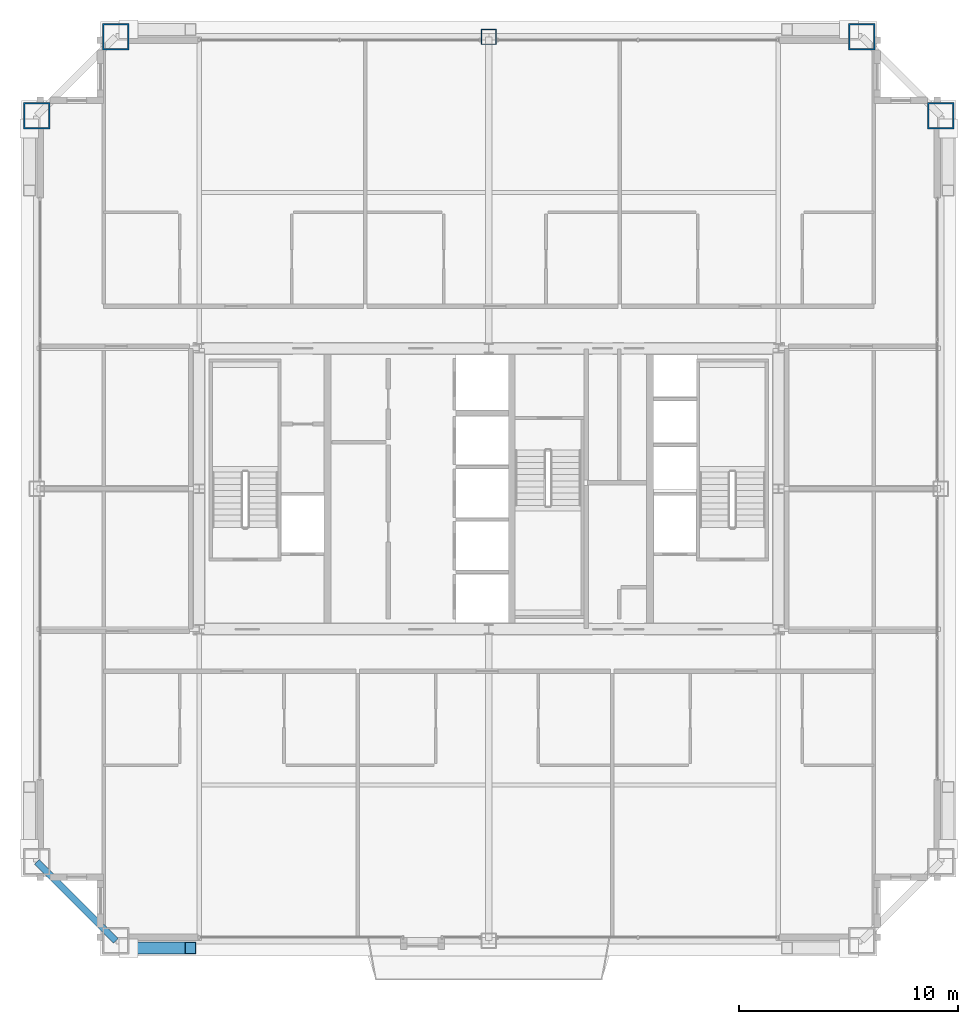
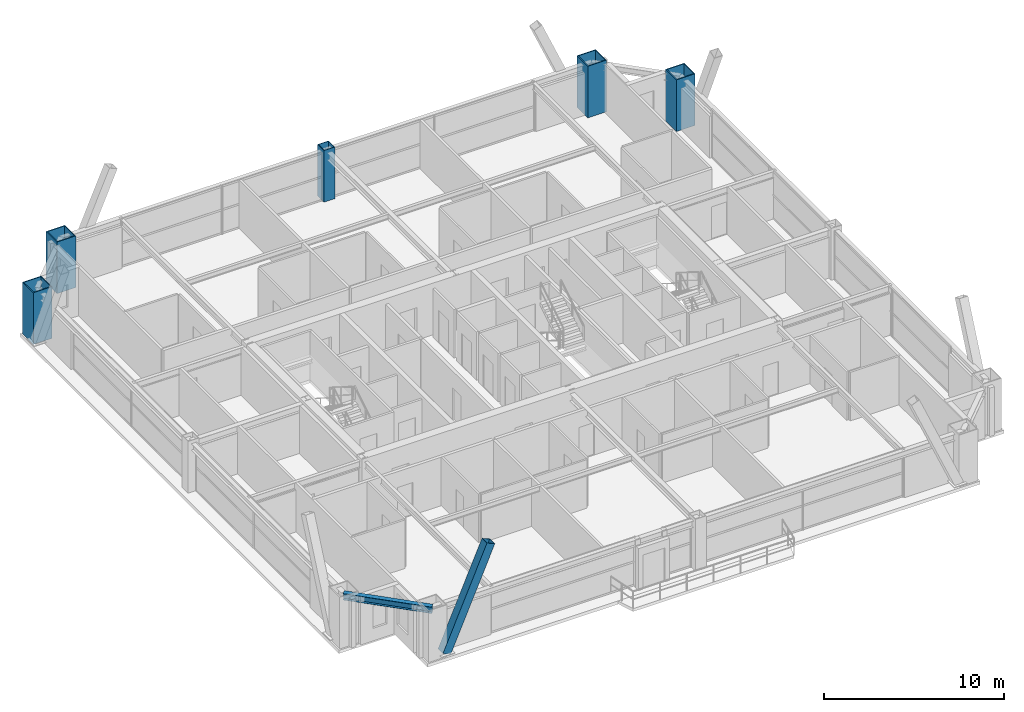
# One storey, part 2 of 34: 5 columns, 1 beam, 1 member.
"""IFC4 building model written with IfcOpenShell, lengths in metres."""

from ifc_helpers import new_model, si_unit, direction, frame, origin, origin_2d, place, context, subcontext, project, spatial, hollow_rectangle, i_section, extrude, source, transform, mapped, material, material_profile, profile_set, type_object, element, save


model = new_model("IFC4")

# Units and contexts
model_context = context("Model", 3, precision=1e-05, world=origin(), true_north=direction((0.0, 1.0)))
body_context = subcontext(model_context, "Body", "Model", "MODEL_VIEW")
ifc_project = project(units=[si_unit("LENGTHUNIT", "METRE"), si_unit("AREAUNIT", "SQUARE_METRE"), si_unit("VOLUMEUNIT", "CUBIC_METRE"), si_unit("PLANEANGLEUNIT", "RADIAN"), si_unit("MASSUNIT", "GRAM", prefix="KILO"), si_unit("THERMODYNAMICTEMPERATUREUNIT", "KELVIN"), si_unit("POWERUNIT", "WATT")], contexts=[model_context])

# Site, building, storey
site_placement = place(None, origin())
site = spatial("IfcSite", under=ifc_project, at=site_placement, CompositionType="ELEMENT")
building_placement = place(site_placement, origin())
building = spatial("IfcBuilding", under=site, at=building_placement, Name="Yuzanri Waterfront Tower", CompositionType="ELEMENT")
storey_placement = place(building_placement, frame((0.0, 0.0, 241.60009765625)))
storey = spatial("IfcBuildingStorey", under=building, at=storey_placement, Name="L64", CompositionType="ELEMENT", Elevation=241.60009765625)

# Columns
ifc_material_1 = material(Name="Steel Q390GJC", Category="steel")
ifc_material_profile_1 = material_profile(ifc_material_1, hollow_rectangle(XDim=1.199951171875, YDim=1.199951171875, WallThickness=0.054931640625, at=origin_2d()), Name="RHS 1200x1200x55")
ifc_profile_set_1 = profile_set([ifc_material_profile_1], Name="Steel Q390GJC")
column_type_1 = type_object("IfcColumnType", Name="Mega Column Q390GJC RHS 1200x1200x55", PredefinedType="COLUMN", material=ifc_profile_set_1)
shared_shape_1 = source(origin(), body_context, "Body", "SweptSolid", [
    extrude(hollow_rectangle(XDim=1.199951171875, YDim=1.199951171875, WallThickness=0.054931640625, at=origin_2d()), origin(), (0.0, 0.0, 1.0), 3.5),
])
for number, where, z_axis, x_axis, name in (
    (1, (20.0, 46.39990234375, 0.0), (0.0, 0.0, 1.0), (1.0, 0.0, 0.0), "L64 Perimeter Mega Column N1"),
    (2, (54.0, 46.39990234375, 0.0), (0.0, 0.0, 1.0), (1.0, 0.0, 0.0), "L64 Perimeter Mega Column N3"),
    (3, (16.39990234375, 42.800048828125, 0.0), (0.0, 0.0, 1.0), (1.0, 0.0, 0.0), "L64 Perimeter Mega Column W3"),
    (4, (57.60009765625, 42.800048828125, 0.0), (0.0, 0.0, 1.0), (1.0, 0.0, 0.0), "L64 Perimeter Mega Column E3"),
):
    element("IfcColumn", number, at=place(storey_placement, frame(where, z_axis=z_axis, x_axis=x_axis)), inside=storey, type_object=column_type_1, Name=name, PredefinedType="COLUMN", context=body_context, shape_type="MappedRepresentation", body=[
        mapped(shared_shape_1, transform((0.0, 0.0, 0.0), scale=1.0)),
    ])
ifc_material_2 = material(Name="Steel Q355B", Category="steel")
ifc_material_profile_2 = material_profile(ifc_material_2, hollow_rectangle(XDim=0.699951171875, YDim=0.699951171875, WallThickness=0.031982421875, at=origin_2d()), Name="RHS 700x700x32")
ifc_profile_set_2 = profile_set([ifc_material_profile_2], Name="Steel Q355B")
column_type_2 = type_object("IfcColumnType", Name="Frame Column Q355B RHS 700x700x32", PredefinedType="COLUMN", material=ifc_profile_set_2)
shared_shape_2 = source(origin(), body_context, "Body", "SweptSolid", [
    extrude(hollow_rectangle(XDim=0.699951171875, YDim=0.699951171875, WallThickness=0.031982421875, at=origin_2d()), origin(), (0.0, 0.0, 1.0), 3.5),
])
column_placement = place(storey_placement, frame((37.0, 46.39990234375, 0.0), z_axis=(0.0, 0.0, 1.0), x_axis=(1.0, 0.0, 0.0)))
element("IfcColumn", 5, at=column_placement, inside=storey, type_object=column_type_2, Name="L64 Perimeter Frame Column N2", PredefinedType="COLUMN", context=body_context, shape_type="MappedRepresentation", body=[
    mapped(shared_shape_2, transform((0.0, 0.0, 0.0), scale=1.0)),
])

# Beam
ifc_material_3 = material(Name="Steel Q355B", Category="steel")
ifc_material_profile_3 = material_profile(ifc_material_3, i_section(OverallWidth=0.300048828125, OverallDepth=0.43994140625, WebThickness=0.010986328125, FlangeThickness=0.01806640625, at=origin_2d()), Name="HM 440x300x11x18")
ifc_profile_set_3 = profile_set([ifc_material_profile_3], Name="Steel Q355B")
beam_type = type_object("IfcBeamType", Name="Perimeter Spandrel Q355B HM 440x300", PredefinedType="SPANDREL", material=ifc_profile_set_3)
shared_shape_3 = source(origin(), body_context, "Body", "SweptSolid", [
    extrude(i_section(OverallWidth=0.300048828125, OverallDepth=0.43994140625, WebThickness=0.010986328125, FlangeThickness=0.01806640625, at=origin_2d()), origin(), (0.0, 0.0, 1.0), 5.09130859375),
])
beam_placement = place(storey_placement, frame((16.39990234375, 8.800048828125, 3.059814453125), z_axis=(0.707106781187, -0.707106781187, 0.0), x_axis=(0.707106781187, 0.707106781187, 0.0)))
element("IfcBeam", 6, at=beam_placement, inside=storey, type_object=beam_type, Name="L64 Perimeter Spandrel W1-S1", PredefinedType="SPANDREL", context=body_context, shape_type="MappedRepresentation", body=[
    mapped(shared_shape_3, transform((0.0, 0.0, 0.0), scale=1.0)),
])

# Member
ifc_material_4 = material(Name="Steel Q390GJC", Category="steel")
ifc_material_profile_4 = material_profile(ifc_material_4, hollow_rectangle(XDim=0.550048828125, YDim=0.550048828125, WallThickness=0.02490234375, at=origin_2d()), Name="RHS 550x550x25")
ifc_profile_set_4 = profile_set([ifc_material_profile_4], Name="Steel Q390GJC")
member_type = type_object("IfcMemberType", Name="Mega Brace Mid Q390GJC RHS 550x550x25", PredefinedType="BRACE", material=ifc_profile_set_4)
shared_shape_4 = source(origin(), body_context, "Body", "SweptSolid", [
    extrude(hollow_rectangle(XDim=0.550048828125, YDim=0.550048828125, WallThickness=0.02490234375, at=origin_2d()), origin(), (0.0, 0.0, 1.0), 7.085205078125),
])
member_placement = place(storey_placement, frame((20.580078125, 4.860107421875, 0.179931640625), z_axis=(0.397982599681, 0.0, 0.917392963975), x_axis=(0.0, 1.0, 0.0)))
element("IfcMember", 7, at=member_placement, inside=storey, type_object=member_type, Name="L64-L65 Perimeter Mega-Brace S-L", PredefinedType="BRACE", context=body_context, shape_type="MappedRepresentation", body=[
    mapped(shared_shape_4, transform((0.0, 0.0, 0.0), scale=1.0)),
])

save(model, "model.ifc")
